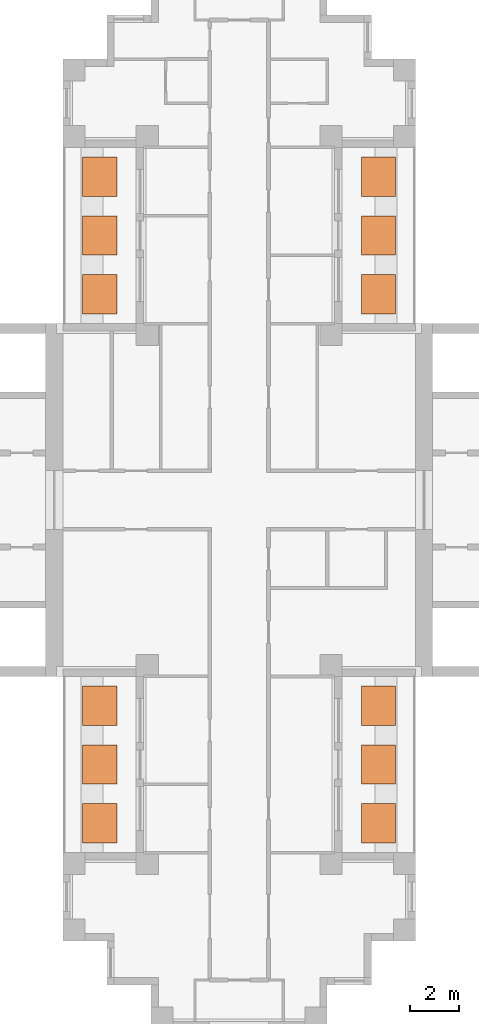
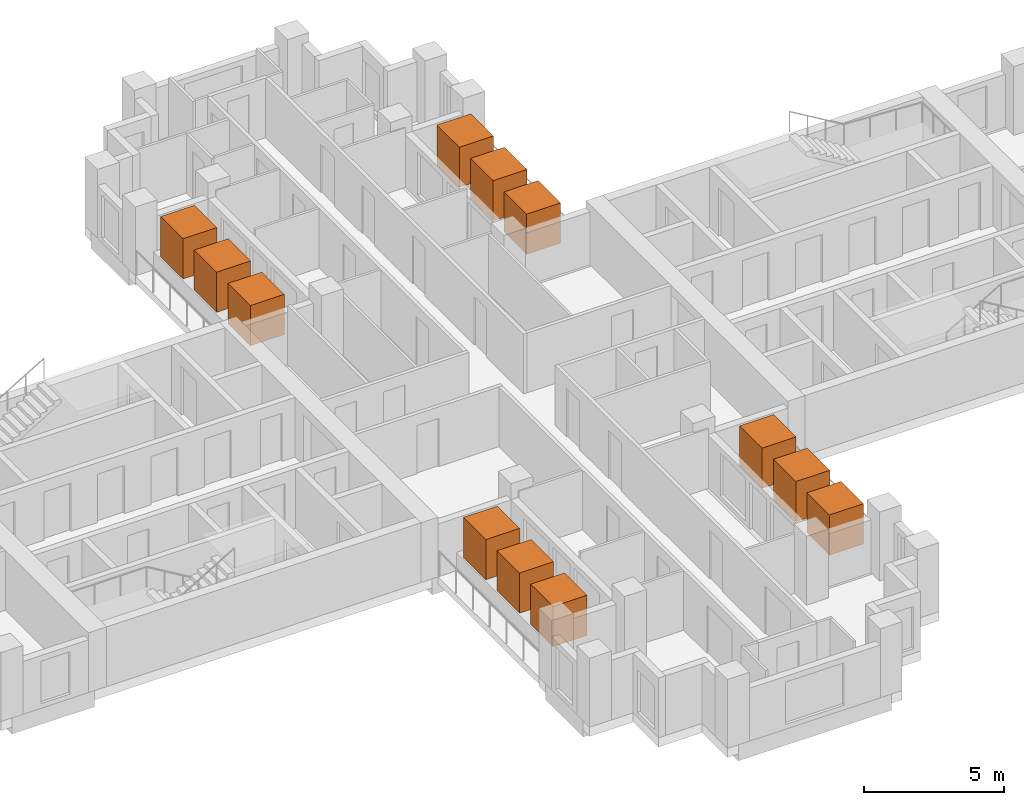
# One storey, part 10 of 10: 12 geographic elements.
"""IFC4 building model written with IfcOpenShell, lengths in metres."""

from ifc_helpers import new_model, si_unit, direction, frame, origin, origin_2d, place, context, subcontext, project, spatial, rectangle, extrude, material, element, save


model = new_model("IFC4")

# Units and contexts
model_context = context("Model", 3, precision=1e-05, world=origin(), true_north=direction((0.0, 1.0)))
body_context = subcontext(model_context, "Body", "Model", "MODEL_VIEW")
ifc_project = project(units=[si_unit("LENGTHUNIT", "METRE"), si_unit("AREAUNIT", "SQUARE_METRE"), si_unit("VOLUMEUNIT", "CUBIC_METRE"), si_unit("PLANEANGLEUNIT", "RADIAN"), si_unit("MASSUNIT", "GRAM", prefix="KILO")], contexts=[model_context])

# Site, building, storey
site_placement = place(None, origin())
site = spatial("IfcSite", under=ifc_project, at=site_placement, CompositionType="ELEMENT")
building_placement = place(site_placement, origin())
building = spatial("IfcBuilding", under=site, at=building_placement, Name="Fustian Cross Tower", CompositionType="ELEMENT")
storey_placement = place(building_placement, frame((0.0, 0.0, 207.89990234375)))
storey = spatial("IfcBuildingStorey", under=building, at=storey_placement, Name="L65", CompositionType="ELEMENT", Elevation=207.89990234375)

# Geographic elements
ifc_material = material(Name="Evergreen foliage")
for number, where, z_axis, x_axis, name in (
    (1, (5.68994140625, 8.39990234375, 0.800048828125), (0.0, 0.0, 1.0), (1.0, 0.0, 0.0), "TREE field maple"),
    (2, (5.68994140625, 10.800048828125, 0.800048828125), (0.0, 0.0, 1.0), (1.0, 0.0, 0.0), "TREE field maple"),
    (3, (5.68994140625, 13.199951171875, 0.800048828125), (0.0, 0.0, 1.0), (1.0, 0.0, 0.0), "TREE field maple"),
    (4, (-5.68994140625, 8.39990234375, 0.800048828125), (0.0, 0.0, 1.0), (1.0, 0.0, 0.0), "TREE field maple"),
    (5, (-5.68994140625, 10.800048828125, 0.800048828125), (0.0, 0.0, 1.0), (1.0, 0.0, 0.0), "TREE field maple"),
    (6, (-5.68994140625, 13.199951171875, 0.800048828125), (0.0, 0.0, 1.0), (1.0, 0.0, 0.0), "TREE field maple"),
    (7, (5.68994140625, -13.199951171875, 0.800048828125), (0.0, 0.0, 1.0), (1.0, 0.0, 0.0), "TREE field maple"),
    (8, (5.68994140625, -10.800048828125, 0.800048828125), (0.0, 0.0, 1.0), (1.0, 0.0, 0.0), "TREE field maple"),
    (9, (5.68994140625, -8.39990234375, 0.800048828125), (0.0, 0.0, 1.0), (1.0, 0.0, 0.0), "TREE field maple"),
    (10, (-5.68994140625, -13.199951171875, 0.800048828125), (0.0, 0.0, 1.0), (1.0, 0.0, 0.0), "TREE field maple"),
    (11, (-5.68994140625, -10.800048828125, 0.800048828125), (0.0, 0.0, 1.0), (1.0, 0.0, 0.0), "TREE field maple"),
    (12, (-5.68994140625, -8.39990234375, 0.800048828125), (0.0, 0.0, 1.0), (1.0, 0.0, 0.0), "TREE field maple"),
):
    element("IfcGeographicElement", number, at=place(storey_placement, frame(where, z_axis=z_axis, x_axis=x_axis)), inside=storey, material=ifc_material, Name=name, ObjectType="VEGETATION", PredefinedType="USERDEFINED", context=body_context, shape_type="SweptSolid", body=[
        extrude(rectangle(XDim=1.39990234375, YDim=1.60009765625, at=origin_2d()), origin(), (0.0, 0.0, 1.0), 1.75),
    ])

save(model, "model.ifc")
